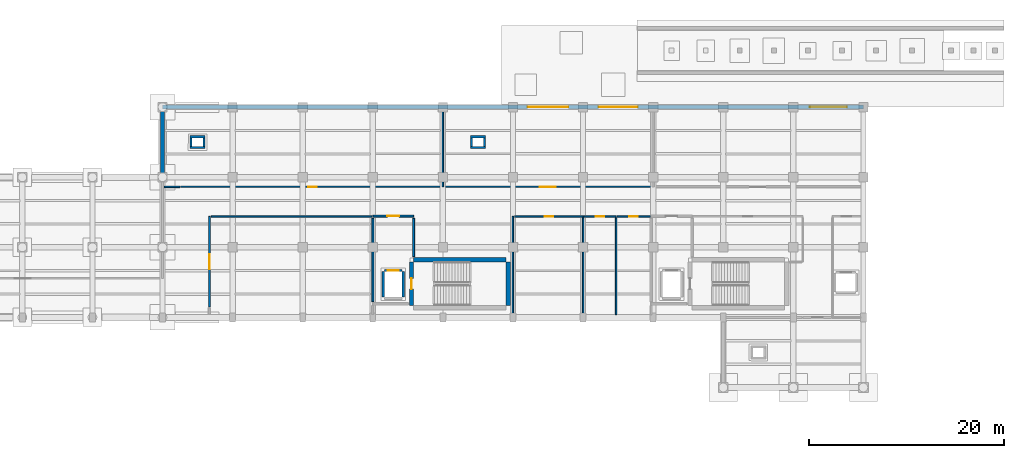
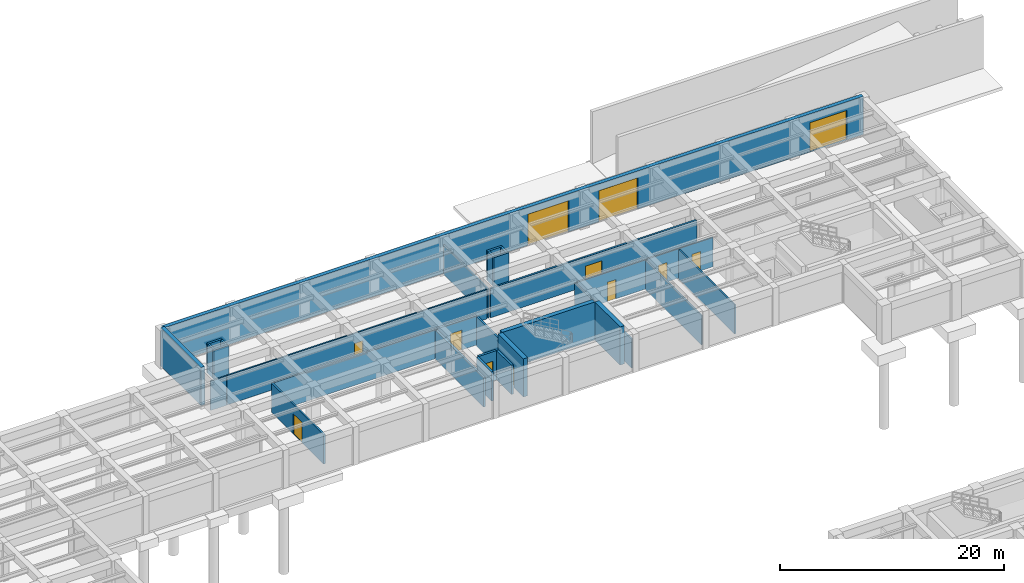
# One storey, part 20 of 34: 31 walls, 12 doors, 12 openings.
"""IFC4 building model written with IfcOpenShell, lengths in metres."""

from ifc_helpers import new_model, si_unit, direction, frame, frame_2d, origin, place, context, subcontext, project, spatial, rectangle, extrude, material, layer, layer_set, type_object, element, fill, save


model = new_model("IFC4")

# Units and contexts
model_context = context("Model", 3, precision=1e-05, world=origin(), true_north=direction((0.0, 1.0)))
body_context = subcontext(model_context, "Body", "Model", "MODEL_VIEW")
ifc_project = project(units=[si_unit("LENGTHUNIT", "METRE"), si_unit("AREAUNIT", "SQUARE_METRE"), si_unit("VOLUMEUNIT", "CUBIC_METRE"), si_unit("PLANEANGLEUNIT", "RADIAN"), si_unit("MASSUNIT", "GRAM", prefix="KILO")], contexts=[model_context])

# Site, building, storey
site_placement = place(None, origin())
site = spatial("IfcSite", under=ifc_project, at=site_placement, CompositionType="ELEMENT")
building_placement = place(site_placement, origin())
building = spatial("IfcBuilding", under=site, at=building_placement, Name="Solenvale Faculty of Natural Sciences", CompositionType="ELEMENT")
storey_placement = place(building_placement, frame((0.0, 0.0, -4.5)))
storey = spatial("IfcBuildingStorey", under=building, at=storey_placement, Name="B01", CompositionType="ELEMENT", Elevation=-4.5)

# Wall, opening, door
ifc_material_1 = material(Name="Gypsum fire-rated shaftwall")
ifc_layer_1 = layer(ifc_material_1, 0.205078125)
ifc_layer_set_1 = layer_set([ifc_layer_1], Name="Gypsum fire-rated shaftwall")
wall_type_1 = type_object("IfcWallType", Name="WL-FFL-205", PredefinedType="PARTITIONING", material=ifc_layer_set_1)
wall_1_placement = place(storey_placement, frame((100.800048828125, 104.0, 0.0), z_axis=(0.0, 0.0, 1.0), x_axis=(1.0, 0.0, 0.0)))
wall_1 = element("IfcWall", 1, at=wall_1_placement, inside=storey, type_object=wall_type_1, Name="B01 Firefighting Lobby C4 Partition 1", PredefinedType="PARTITIONING", context=body_context, shape_type="SweptSolid", body=[
    extrude(rectangle(XDim=4.199951171875, YDim=0.205078125, at=frame_2d((2.10009765625, 0.0))), origin(), (0.0, 0.0, 1.0), 3.18994140625),
])
opening_1_placement = place(wall_1_placement, frame((1.5, 0.0, 0.0)))
opening_1 = element("IfcOpeningElement", 2, at=opening_1_placement, cuts=wall_1, Name="Opening D-B01-01", PredefinedType="OPENING", context=body_context, shape_type="SweptSolid", body=[
    extrude(rectangle(XDim=1.199951171875, YDim=2.14990234375, at=frame_2d((0.60009765625, 1.074951171875))), frame((0.0, 0.112548828125, 0.0), z_axis=(0.0, -1.0, 0.0), x_axis=(1.0, 0.0, 0.0)), (0.0, 0.0, 1.0), 0.22509765625),
])
ifc_material_2 = material(Name="Galvanised steel S355", Category="steel")
door_type_1 = type_object("IfcDoorType", Name="DR-FFL-1200x2150", OperationType="NOTDEFINED", PredefinedType="DOOR", material=ifc_material_2)
door_1_placement = place(opening_1_placement, origin())
door_1 = element("IfcDoor", 3, at=door_1_placement, inside=storey, type_object=door_type_1, Name="B01 Firefighting Lobby C4 Door", OperationType="SINGLE_SWING_LEFT", OverallHeight=2.14990234375, OverallWidth=1.199951171875, PredefinedType="DOOR", context=body_context, shape_type="SweptSolid", body=[
    extrude(rectangle(XDim=1.199951171875, YDim=2.14990234375, at=frame_2d((0.60009765625, 1.074951171875))), frame((0.0, 0.02490234375, 0.0), z_axis=(0.0, -1.0, 0.0), x_axis=(1.0, 0.0, 0.0)), (0.0, 0.0, 1.0), 0.050048828125),
])
fill(opening_1, door_1)

# Walls
wall_2_placement = place(storey_placement, frame((105.0, 103.782958984375, 0.0), z_axis=(0.0, 0.0, 1.0), x_axis=(0.0, -1.0, 0.0)))
element("IfcWall", 4, at=wall_2_placement, inside=storey, type_object=wall_type_1, Name="B01 Firefighting Lobby C4 Partition 2", PredefinedType="PARTITIONING", context=body_context, shape_type="SweptSolid", body=[
    extrude(rectangle(XDim=3.927978515625, YDim=0.205078125, at=frame_2d((1.9638671875, 0.0))), origin(), (0.0, 0.0, 1.0), 3.18994140625),
])
wall_3_placement = place(storey_placement, frame((100.800048828125, 95.217041015625, 0.0), z_axis=(0.0, 0.0, 1.0), x_axis=(0.0, 1.0, 0.0)))
element("IfcWall", 5, at=wall_3_placement, inside=storey, type_object=wall_type_1, Name="B01 Firefighting Lobby C4 Partition 21", PredefinedType="PARTITIONING", context=body_context, shape_type="SweptSolid", body=[
    extrude(rectangle(XDim=8.56591796875, YDim=0.205078125, at=frame_2d((4.282958984375, 0.0))), origin(), (0.0, 0.0, 1.0), 3.18994140625),
])

# Wall, opening, door
ifc_material_3 = material(Name="Gypsum fire-rated laboratory partition")
ifc_layer_2 = layer(ifc_material_3, 0.175048828125)
ifc_layer_set_2 = layer_set([ifc_layer_2], Name="Gypsum fire-rated laboratory partition")
wall_type_2 = type_object("IfcWallType", Name="WL-LAB-175", PredefinedType="PARTITIONING", material=ifc_layer_set_2)
wall_4_placement = place(storey_placement, frame((84.02001953125, 94.679931640625, 0.0), z_axis=(0.0, 0.0, 1.0), x_axis=(0.0, 1.0, 0.0)))
wall_4 = element("IfcWall", 6, at=wall_4_placement, inside=storey, type_object=wall_type_2, Name="B01 Laboratory Glassware Wash and Autoclave Store Partition 18", PredefinedType="PARTITIONING", context=body_context, shape_type="SweptSolid", body=[
    extrude(rectangle(XDim=9.300048828125, YDim=0.175048828125, at=frame_2d((4.64990234375, 0.0))), origin(), (0.0, 0.0, 1.0), 3.18994140625),
])
opening_2_placement = place(wall_4_placement, frame((3.875, 0.0, 0.0)))
opening_2 = element("IfcOpeningElement", 7, at=opening_2_placement, cuts=wall_4, Name="Opening D-B01-16", PredefinedType="OPENING", context=body_context, shape_type="SweptSolid", body=[
    extrude(rectangle(XDim=1.550048828125, YDim=2.199951171875, at=frame_2d((0.77490234375, 1.10009765625))), frame((0.0, 0.097412109375, 0.0), z_axis=(0.0, -1.0, 0.0), x_axis=(1.0, 0.0, 0.0)), (0.0, 0.0, 1.0), 0.195068359375),
])
ifc_material_4 = material(Name="Oak acoustic timber leaf", Category="wood")
door_type_2 = type_object("IfcDoorType", Name="DR-LAB-1550x2200", OperationType="NOTDEFINED", PredefinedType="DOOR", material=ifc_material_4)
door_2_placement = place(opening_2_placement, origin())
door_2 = element("IfcDoor", 8, at=door_2_placement, inside=storey, type_object=door_type_2, Name="B01 Laboratory Glassware Wash and Autoclave Store Door", OperationType="SINGLE_SWING_RIGHT", OverallHeight=2.199951171875, OverallWidth=1.550048828125, PredefinedType="DOOR", context=body_context, shape_type="SweptSolid", body=[
    extrude(rectangle(XDim=1.550048828125, YDim=2.199951171875, at=frame_2d((0.77490234375, 1.10009765625))), frame((0.0, 0.02490234375, 0.0), z_axis=(0.0, -1.0, 0.0), x_axis=(1.0, 0.0, 0.0)), (0.0, 0.0, 1.0), 0.050048828125),
])
fill(opening_2, door_2)

# Walls
wall_5_placement = place(storey_placement, frame((84.20703125, 103.97998046875, 0.0), z_axis=(0.0, 0.0, 1.0), x_axis=(1.0, 0.0, 0.0)))
element("IfcWall", 9, at=wall_5_placement, inside=storey, type_object=wall_type_2, Name="B01 Laboratory Glassware Wash and Autoclave Store Partition 19", PredefinedType="PARTITIONING", context=body_context, shape_type="SweptSolid", body=[
    extrude(rectangle(XDim=16.492919921875, YDim=0.175048828125, at=frame_2d((8.24658203125, 0.0))), origin(), (0.0, 0.0, 1.0), 3.18994140625),
])
ifc_material_5 = material(Name="Concrete 40 MPa", Category="concrete")
ifc_layer_3 = layer(ifc_material_5, 0.39990234375)
ifc_layer_set_3 = layer_set([ifc_layer_3], Name="Concrete 40 MPa")
wall_type_3 = type_object("IfcWallType", Name="WL-RET-400", PredefinedType="SOLIDWALL", material=ifc_layer_set_3)
wall_6_placement = place(storey_placement, frame((79.199951171875, 108.0, 0.0), z_axis=(0.0, 0.0, 1.0), x_axis=(0.0, 1.0, 0.0)))
element("IfcWall", 10, at=wall_6_placement, inside=storey, type_object=wall_type_3, Name="B01 Escarpment Retaining Wall 6", PredefinedType="SOLIDWALL", context=body_context, shape_type="SweptSolid", body=[
    extrude(rectangle(XDim=7.199951171875, YDim=0.39990234375, at=frame_2d((3.60009765625, 0.0))), origin(), (0.0, 0.0, 1.0), 4.14990234375),
])

# Wall, openings, doors
wall_7_placement = place(storey_placement, frame((79.199951171875, 115.199951171875, 0.0), z_axis=(0.0, 0.0, 1.0), x_axis=(1.0, 0.0, 0.0)))
wall_7 = element("IfcWall", 11, at=wall_7_placement, inside=storey, type_object=wall_type_3, Name="B01 Escarpment Retaining Wall 7", PredefinedType="SOLIDWALL", context=body_context, shape_type="SweptSolid", body=[
    extrude(rectangle(XDim=72.0, YDim=0.39990234375, at=frame_2d((36.0, 0.0))), origin(), (0.0, 0.0, 1.0), 4.14990234375),
])
opening_3_placement = place(wall_7_placement, frame((37.5, 0.0, 0.0)))
opening_3 = element("IfcOpeningElement", 12, at=opening_3_placement, cuts=wall_7, Name="Opening VG-01", PredefinedType="OPENING", context=body_context, shape_type="SweptSolid", body=[
    extrude(rectangle(XDim=4.199951171875, YDim=3.39990234375, at=frame_2d((2.10009765625, 1.699951171875))), frame((0.0, 0.2099609375, 0.0), z_axis=(0.0, -1.0, 0.0), x_axis=(1.0, 0.0, 0.0)), (0.0, 0.0, 1.0), 0.419921875),
])
opening_4_placement = place(wall_7_placement, frame((44.800048828125, 0.0, 0.0)))
opening_4 = element("IfcOpeningElement", 13, at=opening_4_placement, cuts=wall_7, Name="Opening VG-02", PredefinedType="OPENING", context=body_context, shape_type="SweptSolid", body=[
    extrude(rectangle(XDim=4.0, YDim=3.39990234375, at=frame_2d((2.0, 1.699951171875))), frame((0.0, 0.2099609375, 0.0), z_axis=(0.0, -1.0, 0.0), x_axis=(1.0, 0.0, 0.0)), (0.0, 0.0, 1.0), 0.419921875),
])
opening_5_placement = place(wall_7_placement, frame((66.5, 0.0, 0.0)))
opening_5 = element("IfcOpeningElement", 14, at=opening_5_placement, cuts=wall_7, Name="Opening VG-03", PredefinedType="OPENING", context=body_context, shape_type="SweptSolid", body=[
    extrude(rectangle(XDim=3.800048828125, YDim=3.199951171875, at=frame_2d((1.89990234375, 1.60009765625))), frame((0.0, 0.2099609375, 0.0), z_axis=(0.0, -1.0, 0.0), x_axis=(1.0, 0.0, 0.0)), (0.0, 0.0, 1.0), 0.419921875),
])
door_type_3 = type_object("IfcDoorType", Name="GT-LOAD-4000x3400", OperationType="NOTDEFINED", PredefinedType="GATE", material=ifc_material_2)
door_3_placement = place(opening_4_placement, origin())
door_3 = element("IfcDoor", 15, at=door_3_placement, inside=storey, type_object=door_type_3, Name="B01 Loading Dock Roller Gate VG-02", OperationType="ROLLINGUP", OverallHeight=3.39990234375, OverallWidth=4.0, PredefinedType="GATE", context=body_context, shape_type="SweptSolid", body=[
    extrude(rectangle(XDim=4.0, YDim=3.39990234375, at=frame_2d((2.0, 1.699951171875))), frame((0.0, 0.02490234375, 0.0), z_axis=(0.0, -1.0, 0.0), x_axis=(1.0, 0.0, 0.0)), (0.0, 0.0, 1.0), 0.050048828125),
])
fill(opening_4, door_3)
door_type_4 = type_object("IfcDoorType", Name="GT-LOAD-4200x3400", OperationType="NOTDEFINED", PredefinedType="GATE", material=ifc_material_2)
door_4_placement = place(opening_3_placement, origin())
door_4 = element("IfcDoor", 16, at=door_4_placement, inside=storey, type_object=door_type_4, Name="B01 Loading Dock Roller Gate VG-01", OperationType="ROLLINGUP", OverallHeight=3.39990234375, OverallWidth=4.199951171875, PredefinedType="GATE", context=body_context, shape_type="SweptSolid", body=[
    extrude(rectangle(XDim=4.199951171875, YDim=3.39990234375, at=frame_2d((2.10009765625, 1.699951171875))), frame((0.0, 0.02490234375, 0.0), z_axis=(0.0, -1.0, 0.0), x_axis=(1.0, 0.0, 0.0)), (0.0, 0.0, 1.0), 0.050048828125),
])
fill(opening_3, door_4)
door_type_5 = type_object("IfcDoorType", Name="GT-SERV-3800x3200", OperationType="NOTDEFINED", PredefinedType="GATE", material=ifc_material_2)
door_5_placement = place(opening_5_placement, origin())
door_5 = element("IfcDoor", 17, at=door_5_placement, inside=storey, type_object=door_type_5, Name="B01 Loading Dock Roller Gate VG-03", OperationType="ROLLINGUP", OverallHeight=3.199951171875, OverallWidth=3.800048828125, PredefinedType="GATE", context=body_context, shape_type="SweptSolid", body=[
    extrude(rectangle(XDim=3.800048828125, YDim=3.199951171875, at=frame_2d((1.89990234375, 1.60009765625))), frame((0.0, 0.02490234375, 0.0), z_axis=(0.0, -1.0, 0.0), x_axis=(1.0, 0.0, 0.0)), (0.0, 0.0, 1.0), 0.050048828125),
])
fill(opening_5, door_5)

# Wall, opening, door
ifc_layer_4 = layer(ifc_material_5, 0.219970703125)
ifc_layer_set_4 = layer_set([ifc_layer_4], Name="Concrete 40 MPa")
wall_type_4 = type_object("IfcWallType", Name="WL-SHF-220", PredefinedType="STANDARD", material=ifc_layer_set_4)
wall_8_placement = place(storey_placement, frame((101.97998046875, 98.429931640625, 0.0), z_axis=(0.0, 0.0, 1.0), x_axis=(1.0, 0.0, 0.0)))
wall_8 = element("IfcWall", 18, at=wall_8_placement, inside=storey, type_object=wall_type_4, Name="Elevator LF-01 B01 Shaft Wall N", PredefinedType="STANDARD", context=body_context, shape_type="SweptSolid", body=[
    extrude(rectangle(XDim=1.840087890625, YDim=0.219970703125, at=frame_2d((0.919921875, 0.0))), origin(), (0.0, 0.0, 1.0), 3.18994140625),
])
opening_6_placement = place(wall_8_placement, frame((0.3701171875, 0.0, 0.0)))
opening_6 = element("IfcOpeningElement", 19, at=opening_6_placement, cuts=wall_8, Name="Opening LD-LF-01-B01", PredefinedType="OPENING", context=body_context, shape_type="SweptSolid", body=[
    extrude(rectangle(XDim=1.10009765625, YDim=2.14990234375, at=frame_2d((0.550048828125, 1.074951171875))), frame((0.0, 0.119873046875, 0.0), z_axis=(0.0, -1.0, 0.0), x_axis=(1.0, 0.0, 0.0)), (0.0, 0.0, 1.0), 0.239990234375),
])
ifc_material_6 = material(Name="Stainless steel Grade 304", Category="steel")
door_type_6 = type_object("IfcDoorType", Name="DR-LIFT-1100x2150", OperationType="NOTDEFINED", PredefinedType="DOOR", material=ifc_material_6)
door_6_placement = place(opening_6_placement, origin())
door_6 = element("IfcDoor", 20, at=door_6_placement, inside=storey, type_object=door_type_6, Name="Elevator LF-01 B01 Sliding Landing Door", OperationType="SLIDING_TO_RIGHT", OverallHeight=2.14990234375, OverallWidth=1.10009765625, PredefinedType="DOOR", context=body_context, shape_type="SweptSolid", body=[
    extrude(rectangle(XDim=1.10009765625, YDim=2.14990234375, at=frame_2d((0.550048828125, 1.074951171875))), frame((0.0, 0.02490234375, 0.0), z_axis=(0.0, -1.0, 0.0), x_axis=(1.0, 0.0, 0.0)), (0.0, 0.0, 1.0), 0.050048828125),
])
fill(opening_6, door_6)

# Walls
for number, where, z_axis, x_axis, name in (
    (21, (101.8701171875, 95.679931640625, 0.0), (0.0, 0.0, 1.0), (0.0, 1.0, 0.0), "Elevator LF-01 B01 Shaft Wall W"),
    (22, (103.929931640625, 95.679931640625, 0.0), (0.0, 0.0, 1.0), (0.0, 1.0, 0.0), "Elevator LF-01 B01 Shaft Wall E"),
):
    element("IfcWall", number, at=place(storey_placement, frame(where, z_axis=z_axis, x_axis=x_axis)), inside=storey, type_object=wall_type_4, Name=name, PredefinedType="STANDARD", context=body_context, shape_type="SweptSolid", body=[
        extrude(rectangle(XDim=2.64013671875, YDim=0.219970703125, at=frame_2d((1.320068359375, 0.0))), origin(), (0.0, 0.0, 1.0), 3.18994140625),
    ])
for number, where, z_axis, x_axis, name in (
    (23, (82.030029296875, 111.0400390625, 0.0), (0.0, 0.0, 1.0), (1.0, 0.0, 0.0), "B01 Service Riser Shaft 7 Wall S"),
    (24, (82.030029296875, 112.159912109375, 0.0), (0.0, 0.0, 1.0), (1.0, 0.0, 0.0), "B01 Service Riser Shaft 7 Wall N"),
):
    element("IfcWall", number, at=place(storey_placement, frame(where, z_axis=z_axis, x_axis=x_axis)), inside=storey, type_object=wall_type_4, Name=name, PredefinedType="STANDARD", context=body_context, shape_type="SweptSolid", body=[
        extrude(rectangle(XDim=1.5400390625, YDim=0.219970703125, at=frame_2d((0.77001953125, 0.0))), origin(), (0.0, 0.0, 1.0), 3.18994140625),
    ])
for number, where, z_axis, x_axis, name in (
    (25, (82.139892578125, 111.14990234375, 0.0), (0.0, 0.0, 1.0), (0.0, 1.0, 0.0), "B01 Service Riser Shaft 7 Wall W"),
    (26, (83.4599609375, 111.14990234375, 0.0), (0.0, 0.0, 1.0), (0.0, 1.0, 0.0), "B01 Service Riser Shaft 7 Wall E"),
):
    element("IfcWall", number, at=place(storey_placement, frame(where, z_axis=z_axis, x_axis=x_axis)), inside=storey, type_object=wall_type_4, Name=name, PredefinedType="STANDARD", context=body_context, shape_type="SweptSolid", body=[
        extrude(rectangle(XDim=0.900146484375, YDim=0.219970703125, at=frame_2d((0.4501953125, 0.0))), origin(), (0.0, 0.0, 1.0), 3.18994140625),
    ])
for number, where, z_axis, x_axis, name in (
    (27, (110.830078125, 111.0400390625, 0.0), (0.0, 0.0, 1.0), (1.0, 0.0, 0.0), "B01 Service Riser Shaft 8 Wall S"),
    (28, (110.830078125, 112.159912109375, 0.0), (0.0, 0.0, 1.0), (1.0, 0.0, 0.0), "B01 Service Riser Shaft 8 Wall N"),
):
    element("IfcWall", number, at=place(storey_placement, frame(where, z_axis=z_axis, x_axis=x_axis)), inside=storey, type_object=wall_type_4, Name=name, PredefinedType="STANDARD", context=body_context, shape_type="SweptSolid", body=[
        extrude(rectangle(XDim=1.5400390625, YDim=0.219970703125, at=frame_2d((0.77001953125, 0.0))), origin(), (0.0, 0.0, 1.0), 3.18994140625),
    ])
for number, where, z_axis, x_axis, name in (
    (29, (110.93994140625, 111.14990234375, 0.0), (0.0, 0.0, 1.0), (0.0, 1.0, 0.0), "B01 Service Riser Shaft 8 Wall W"),
    (30, (112.260009765625, 111.14990234375, 0.0), (0.0, 0.0, 1.0), (0.0, 1.0, 0.0), "B01 Service Riser Shaft 8 Wall E"),
):
    element("IfcWall", number, at=place(storey_placement, frame(where, z_axis=z_axis, x_axis=x_axis)), inside=storey, type_object=wall_type_4, Name=name, PredefinedType="STANDARD", context=body_context, shape_type="SweptSolid", body=[
        extrude(rectangle(XDim=0.900146484375, YDim=0.219970703125, at=frame_2d((0.4501953125, 0.0))), origin(), (0.0, 0.0, 1.0), 3.18994140625),
    ])
ifc_material_7 = material(Name="Concrete 50 MPa", Category="concrete")
ifc_layer_5 = layer(ifc_material_7, 0.43994140625)
ifc_layer_set_5 = layer_set([ifc_layer_5], Name="Concrete 50 MPa")
wall_type_5 = type_object("IfcWallType", Name="WL-SHR-440", PredefinedType="SHEAR", material=ifc_layer_set_5)
wall_9_placement = place(storey_placement, frame((105.0, 99.52001953125, 0.0), z_axis=(0.0, 0.0, 1.0), x_axis=(1.0, 0.0, 0.0)))
element("IfcWall", 31, at=wall_9_placement, inside=storey, type_object=wall_type_5, Name="Core C4 B01 Shear Wall N", PredefinedType="SHEAR", context=body_context, shape_type="SweptSolid", body=[
    extrude(rectangle(XDim=9.5, YDim=0.43994140625, at=frame_2d((4.75, 0.0))), origin(), (0.0, 0.0, 1.0), 4.14990234375),
])

# Wall, opening, door
wall_10_placement = place(storey_placement, frame((104.780029296875, 94.800048828125, 0.0), z_axis=(0.0, 0.0, 1.0), x_axis=(0.0, 1.0, 0.0)))
wall_10 = element("IfcWall", 32, at=wall_10_placement, inside=storey, type_object=wall_type_5, Name="Core C4 B01 Shear Wall W", PredefinedType="SHEAR", context=body_context, shape_type="SweptSolid", body=[
    extrude(rectangle(XDim=4.5, YDim=0.43994140625, at=frame_2d((2.25, 0.0))), origin(), (0.0, 0.0, 1.0), 4.14990234375),
])
opening_7_placement = place(wall_10_placement, frame((1.699951171875, 0.0, 0.0)))
opening_7 = element("IfcOpeningElement", 33, at=opening_7_placement, cuts=wall_10, Name="Opening DS-C4-B01", PredefinedType="OPENING", context=body_context, shape_type="SweptSolid", body=[
    extrude(rectangle(XDim=1.10009765625, YDim=2.14990234375, at=frame_2d((0.550048828125, 1.074951171875))), frame((0.0, 0.22998046875, 0.0), z_axis=(0.0, -1.0, 0.0), x_axis=(1.0, 0.0, 0.0)), (0.0, 0.0, 1.0), 0.4599609375),
])
door_type_7 = type_object("IfcDoorType", Name="DR-STAIR-1100x2150", OperationType="NOTDEFINED", PredefinedType="DOOR", material=ifc_material_2)
door_7_placement = place(opening_7_placement, origin())
door_7 = element("IfcDoor", 34, at=door_7_placement, inside=storey, type_object=door_type_7, Name="B01 Stair ST-04 Fire Door", OperationType="SINGLE_SWING_RIGHT", OverallHeight=2.14990234375, OverallWidth=1.10009765625, PredefinedType="DOOR", context=body_context, shape_type="SweptSolid", body=[
    extrude(rectangle(XDim=1.10009765625, YDim=2.14990234375, at=frame_2d((0.550048828125, 1.074951171875))), frame((0.0, 0.02490234375, 0.0), z_axis=(0.0, -1.0, 0.0), x_axis=(1.0, 0.0, 0.0)), (0.0, 0.0, 1.0), 0.050048828125),
])
fill(opening_7, door_7)

# Wall
wall_11_placement = place(storey_placement, frame((114.719970703125, 94.800048828125, 0.0), z_axis=(0.0, 0.0, 1.0), x_axis=(0.0, 1.0, 0.0)))
element("IfcWall", 35, at=wall_11_placement, inside=storey, type_object=wall_type_5, Name="Core C4 B01 Shear Wall E", PredefinedType="SHEAR", context=body_context, shape_type="SweptSolid", body=[
    extrude(rectangle(XDim=4.5, YDim=0.43994140625, at=frame_2d((2.25, 0.0))), origin(), (0.0, 0.0, 1.0), 4.14990234375),
])

# Wall, opening, door
ifc_material_8 = material(Name="Concrete masonry 20 MPa", Category="masonry")
ifc_layer_6 = layer(ifc_material_8, 0.195068359375)
ifc_layer_set_6 = layer_set([ifc_layer_6], Name="Concrete masonry 20 MPa")
wall_type_6 = type_object("IfcWallType", Name="WL-STR-195", PredefinedType="PARTITIONING", material=ifc_layer_set_6)
wall_12_placement = place(storey_placement, frame((129.39306640625, 107.02001953125, 0.0), z_axis=(0.0, 0.0, 1.0), x_axis=(-1.0, 0.0, 0.0)))
wall_12 = element("IfcWall", 36, at=wall_12_placement, inside=storey, type_object=wall_type_6, Name="B01 Truck Loading Bay Partition 4", PredefinedType="PARTITIONING", context=body_context, shape_type="SweptSolid", body=[
    extrude(rectangle(XDim=21.208984375, YDim=0.195068359375, at=frame_2d((10.6044921875, 0.0))), origin(), (0.0, 0.0, 1.0), 3.18994140625),
])
opening_8_placement = place(wall_12_placement, frame((9.780029296875, 0.0, 0.0)))
opening_8 = element("IfcOpeningElement", 37, at=opening_8_placement, cuts=wall_12, Name="Opening D-B01-14", PredefinedType="OPENING", context=body_context, shape_type="SweptSolid", body=[
    extrude(rectangle(XDim=1.64990234375, YDim=2.199951171875, at=frame_2d((0.824951171875, 1.10009765625))), frame((0.0, 0.107421875, 0.0), z_axis=(0.0, -1.0, 0.0), x_axis=(1.0, 0.0, 0.0)), (0.0, 0.0, 1.0), 0.215087890625),
])
door_type_8 = type_object("IfcDoorType", Name="DR-PLT-1650x2200", OperationType="NOTDEFINED", PredefinedType="DOOR", material=ifc_material_2)
door_8_placement = place(opening_8_placement, origin())
door_8 = element("IfcDoor", 38, at=door_8_placement, inside=storey, type_object=door_type_8, Name="B01 Truck Loading Bay Door", OperationType="SINGLE_SWING_RIGHT", OverallHeight=2.199951171875, OverallWidth=1.64990234375, PredefinedType="DOOR", context=body_context, shape_type="SweptSolid", body=[
    extrude(rectangle(XDim=1.64990234375, YDim=2.199951171875, at=frame_2d((0.824951171875, 1.10009765625))), frame((0.0, 0.02490234375, 0.0), z_axis=(0.0, -1.0, 0.0), x_axis=(1.0, 0.0, 0.0)), (0.0, 0.0, 1.0), 0.050048828125),
])
fill(opening_8, door_8)

# Walls
ifc_material_9 = material(Name="Moisture-resistant tile partition")
ifc_layer_7 = layer(ifc_material_9, 0.14990234375)
ifc_layer_set_7 = layer_set([ifc_layer_7], Name="Moisture-resistant tile partition")
wall_type_7 = type_object("IfcWallType", Name="WL-WC-150", PredefinedType="PARTITIONING", material=ifc_layer_set_7)
wall_13_placement = place(storey_placement, frame((80.97998046875, 107.0, 0.0), z_axis=(0.0, 0.0, 1.0), x_axis=(-1.0, 0.0, 0.0)))
element("IfcWall", 39, at=wall_13_placement, inside=storey, type_object=wall_type_7, Name="B01 Shower and Locker Room Partition 17", PredefinedType="PARTITIONING", context=body_context, shape_type="SweptSolid", body=[
    extrude(rectangle(XDim=1.594970703125, YDim=0.14990234375, at=frame_2d((0.79736328125, 0.0))), origin(), (0.0, 0.0, 1.0), 3.18994140625),
])
wall_14_placement = place(storey_placement, frame((108.0, 114.9130859375, 0.0), z_axis=(0.0, 0.0, 1.0), x_axis=(0.0, -1.0, 0.0)))
element("IfcWall", 40, at=wall_14_placement, inside=storey, type_object=wall_type_7, Name="B01 Shower and Locker Room Partition 38", PredefinedType="PARTITIONING", context=body_context, shape_type="SweptSolid", body=[
    extrude(rectangle(XDim=7.89306640625, YDim=0.14990234375, at=frame_2d((3.946533203125, 0.0))), origin(), (0.0, 0.0, 1.0), 3.18994140625),
])

# Wall, opening, door
wall_15_placement = place(storey_placement, frame((107.837890625, 107.02001953125, 0.0), z_axis=(0.0, 0.0, 1.0), x_axis=(-1.0, 0.0, 0.0)))
wall_15 = element("IfcWall", 41, at=wall_15_placement, inside=storey, type_object=wall_type_7, Name="B01 Shower and Locker Room Partition 39", PredefinedType="PARTITIONING", context=body_context, shape_type="SweptSolid", body=[
    extrude(rectangle(XDim=26.77099609375, YDim=0.14990234375, at=frame_2d((13.385498046875, 0.0))), origin(), (0.0, 0.0, 1.0), 3.18994140625),
])
opening_9_placement = place(wall_15_placement, frame((12.7958984375, 0.0, 0.0)))
opening_9 = element("IfcOpeningElement", 42, at=opening_9_placement, cuts=wall_15, Name="Opening D-B01-13", PredefinedType="OPENING", context=body_context, shape_type="SweptSolid", body=[
    extrude(rectangle(XDim=0.8798828125, YDim=2.10009765625, at=frame_2d((0.43994140625, 1.050048828125))), frame((0.0, 0.0849609375, 0.0), z_axis=(0.0, -1.0, 0.0), x_axis=(1.0, 0.0, 0.0)), (0.0, 0.0, 1.0), 0.169921875),
])
door_type_9 = type_object("IfcDoorType", Name="DR-WC-0880x2100", OperationType="NOTDEFINED", PredefinedType="DOOR", material=ifc_material_4)
door_9_placement = place(opening_9_placement, origin())
door_9 = element("IfcDoor", 43, at=door_9_placement, inside=storey, type_object=door_type_9, Name="B01 Shower and Locker Room Door", OperationType="SINGLE_SWING_LEFT", OverallHeight=2.10009765625, OverallWidth=0.8798828125, PredefinedType="DOOR", context=body_context, shape_type="SweptSolid", body=[
    extrude(rectangle(XDim=0.8798828125, YDim=2.10009765625, at=frame_2d((0.43994140625, 1.050048828125))), frame((0.0, 0.02490234375, 0.0), z_axis=(0.0, -1.0, 0.0), x_axis=(1.0, 0.0, 0.0)), (0.0, 0.0, 1.0), 0.050048828125),
])
fill(opening_9, door_9)

# Wall
wall_16_placement = place(storey_placement, frame((115.199951171875, 93.886962890625, 0.0), z_axis=(0.0, 0.0, 1.0), x_axis=(0.0, 1.0, 0.0)))
element("IfcWall", 44, at=wall_16_placement, inside=storey, type_object=wall_type_7, Name="B01 Public Washroom Partition 1", PredefinedType="PARTITIONING", context=body_context, shape_type="SweptSolid", body=[
    extrude(rectangle(XDim=10.093017578125, YDim=0.14990234375, at=frame_2d((5.04638671875, 0.0))), origin(), (0.0, 0.0, 1.0), 3.18994140625),
])

# Wall, opening, door
wall_17_placement = place(storey_placement, frame((115.362060546875, 103.97998046875, 0.0), z_axis=(0.0, 0.0, 1.0), x_axis=(1.0, 0.0, 0.0)))
wall_17 = element("IfcWall", 45, at=wall_17_placement, inside=storey, type_object=wall_type_7, Name="B01 Public Washroom Partition 2", PredefinedType="PARTITIONING", context=body_context, shape_type="SweptSolid", body=[
    extrude(rectangle(XDim=7.037841796875, YDim=0.14990234375, at=frame_2d((3.51904296875, 0.0))), origin(), (0.0, 0.0, 1.0), 3.18994140625),
])
opening_10_placement = place(wall_17_placement, frame((3.0791015625, 0.0, 0.0)))
opening_10 = element("IfcOpeningElement", 46, at=opening_10_placement, cuts=wall_17, Name="Opening D-B01-17", PredefinedType="OPENING", context=body_context, shape_type="SweptSolid", body=[
    extrude(rectangle(XDim=0.8798828125, YDim=2.10009765625, at=frame_2d((0.43994140625, 1.050048828125))), frame((0.0, 0.0849609375, 0.0), z_axis=(0.0, -1.0, 0.0), x_axis=(1.0, 0.0, 0.0)), (0.0, 0.0, 1.0), 0.169921875),
])
door_10_placement = place(opening_10_placement, origin())
door_10 = element("IfcDoor", 47, at=door_10_placement, inside=storey, type_object=door_type_9, Name="B01 Public Washroom Door", OperationType="SINGLE_SWING_LEFT", OverallHeight=2.10009765625, OverallWidth=0.8798828125, PredefinedType="DOOR", context=body_context, shape_type="SweptSolid", body=[
    extrude(rectangle(XDim=0.8798828125, YDim=2.10009765625, at=frame_2d((0.43994140625, 1.050048828125))), frame((0.0, 0.02490234375, 0.0), z_axis=(0.0, -1.0, 0.0), x_axis=(1.0, 0.0, 0.0)), (0.0, 0.0, 1.0), 0.050048828125),
])
fill(opening_10, door_10)

# Wall
wall_18_placement = place(storey_placement, frame((122.39990234375, 103.818115234375, 0.0), z_axis=(0.0, 0.0, 1.0), x_axis=(0.0, -1.0, 0.0)))
element("IfcWall", 48, at=wall_18_placement, inside=storey, type_object=wall_type_7, Name="B01 Public Washroom Partition 3", PredefinedType="PARTITIONING", context=body_context, shape_type="SweptSolid", body=[
    extrude(rectangle(XDim=9.93115234375, YDim=0.14990234375, at=frame_2d((4.965576171875, 0.0))), origin(), (0.0, 0.0, 1.0), 3.18994140625),
])

# Wall, opening, door
wall_19_placement = place(storey_placement, frame((122.487060546875, 103.97998046875, 0.0), z_axis=(0.0, 0.0, 1.0), x_axis=(1.0, 0.0, 0.0)))
wall_19 = element("IfcWall", 49, at=wall_19_placement, inside=storey, type_object=wall_type_7, Name="B01 Accessible Washroom Partition 2", PredefinedType="PARTITIONING", context=body_context, shape_type="SweptSolid", body=[
    extrude(rectangle(XDim=3.31298828125, YDim=0.14990234375, at=frame_2d((1.656494140625, 0.0))), origin(), (0.0, 0.0, 1.0), 3.18994140625),
])
opening_11_placement = place(wall_19_placement, frame((1.20703125, 0.0, 0.0)))
opening_11 = element("IfcOpeningElement", 50, at=opening_11_placement, cuts=wall_19, Name="Opening D-B01-18", PredefinedType="OPENING", context=body_context, shape_type="SweptSolid", body=[
    extrude(rectangle(XDim=0.89990234375, YDim=2.10009765625, at=frame_2d((0.449951171875, 1.050048828125))), frame((0.0, 0.0849609375, 0.0), z_axis=(0.0, -1.0, 0.0), x_axis=(1.0, 0.0, 0.0)), (0.0, 0.0, 1.0), 0.169921875),
])
door_type_10 = type_object("IfcDoorType", Name="DR-WC-0900x2100", OperationType="NOTDEFINED", PredefinedType="DOOR", material=ifc_material_4)
door_11_placement = place(opening_11_placement, origin())
door_11 = element("IfcDoor", 51, at=door_11_placement, inside=storey, type_object=door_type_10, Name="B01 Accessible Washroom Door", OperationType="SINGLE_SWING_RIGHT", OverallHeight=2.10009765625, OverallWidth=0.89990234375, PredefinedType="DOOR", context=body_context, shape_type="SweptSolid", body=[
    extrude(rectangle(XDim=0.89990234375, YDim=2.10009765625, at=frame_2d((0.449951171875, 1.050048828125))), frame((0.0, 0.02490234375, 0.0), z_axis=(0.0, -1.0, 0.0), x_axis=(1.0, 0.0, 0.0)), (0.0, 0.0, 1.0), 0.050048828125),
])
fill(opening_11, door_11)

# Wall
wall_20_placement = place(storey_placement, frame((125.800048828125, 103.818115234375, 0.0), z_axis=(0.0, 0.0, 1.0), x_axis=(0.0, -1.0, 0.0)))
element("IfcWall", 52, at=wall_20_placement, inside=storey, type_object=wall_type_7, Name="B01 Accessible Washroom Partition 3", PredefinedType="PARTITIONING", context=body_context, shape_type="SweptSolid", body=[
    extrude(rectangle(XDim=9.93115234375, YDim=0.14990234375, at=frame_2d((4.965576171875, 0.0))), origin(), (0.0, 0.0, 1.0), 3.18994140625),
])

# Wall, opening, door
wall_21_placement = place(storey_placement, frame((125.886962890625, 103.97998046875, 0.0), z_axis=(0.0, 0.0, 1.0), x_axis=(1.0, 0.0, 0.0)))
wall_21 = element("IfcWall", 53, at=wall_21_placement, inside=storey, type_object=wall_type_7, Name="B01 Staff Washroom Partition 2", PredefinedType="PARTITIONING", context=body_context, shape_type="SweptSolid", body=[
    extrude(rectangle(XDim=3.426025390625, YDim=0.14990234375, at=frame_2d((1.712890625, 0.0))), origin(), (0.0, 0.0, 1.0), 3.18994140625),
])
opening_12_placement = place(wall_21_placement, frame((1.27294921875, 0.0, 0.0)))
opening_12 = element("IfcOpeningElement", 54, at=opening_12_placement, cuts=wall_21, Name="Opening D-B01-19", PredefinedType="OPENING", context=body_context, shape_type="SweptSolid", body=[
    extrude(rectangle(XDim=0.8798828125, YDim=2.10009765625, at=frame_2d((0.43994140625, 1.050048828125))), frame((0.0, 0.0849609375, 0.0), z_axis=(0.0, -1.0, 0.0), x_axis=(1.0, 0.0, 0.0)), (0.0, 0.0, 1.0), 0.169921875),
])
door_12_placement = place(opening_12_placement, origin())
door_12 = element("IfcDoor", 55, at=door_12_placement, inside=storey, type_object=door_type_9, Name="B01 Staff Washroom Door", OperationType="SINGLE_SWING_LEFT", OverallHeight=2.10009765625, OverallWidth=0.8798828125, PredefinedType="DOOR", context=body_context, shape_type="SweptSolid", body=[
    extrude(rectangle(XDim=0.8798828125, YDim=2.10009765625, at=frame_2d((0.43994140625, 1.050048828125))), frame((0.0, 0.02490234375, 0.0), z_axis=(0.0, -1.0, 0.0), x_axis=(1.0, 0.0, 0.0)), (0.0, 0.0, 1.0), 0.050048828125),
])
fill(opening_12, door_12)

save(model, "model.ifc")
